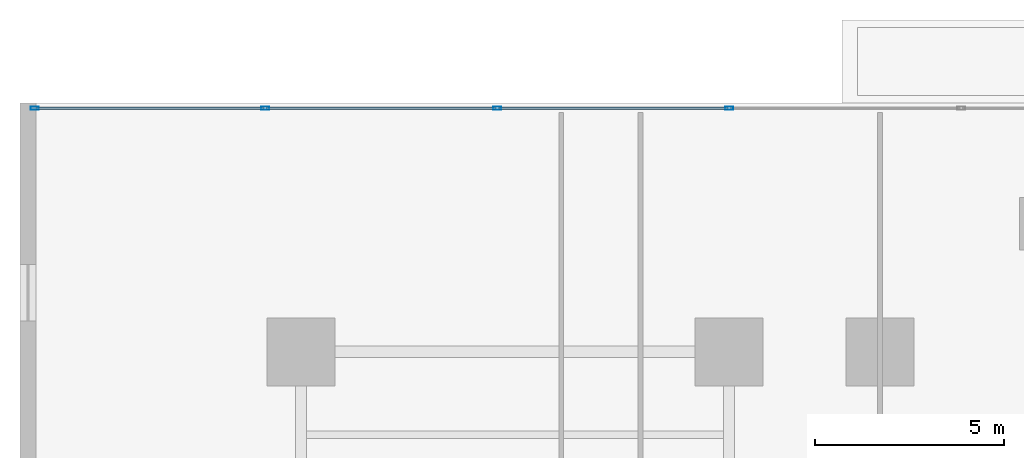
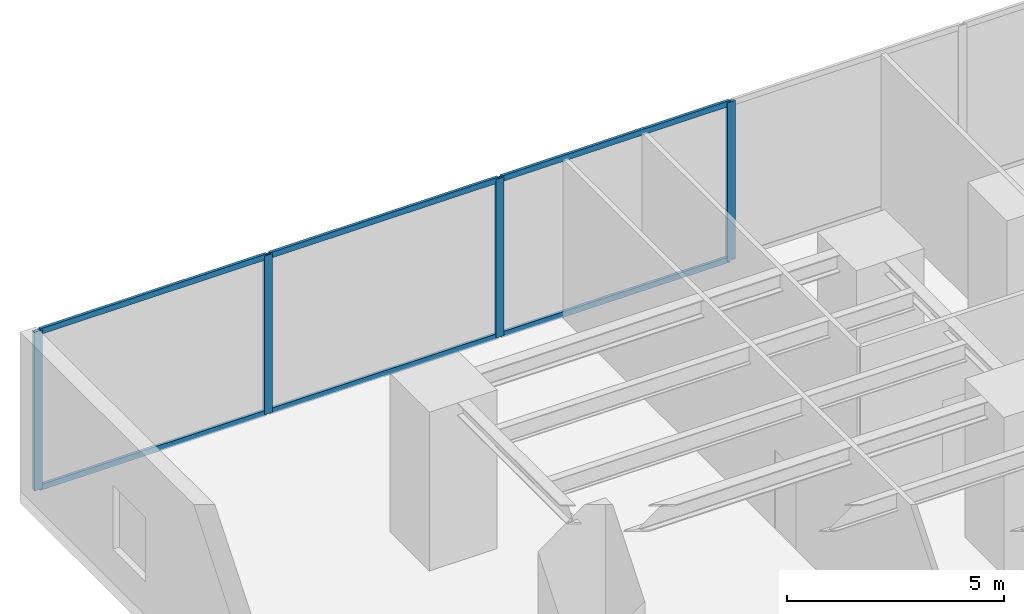
# One storey, part 3 of 17: 10 members, 1 element without a shape of its own.
"""IFC4 building model written with IfcOpenShell, lengths in metres."""

from ifc_helpers import new_model, si_unit, direction, frame, origin, origin_with_axes, origin_2d, place, context, subcontext, project, spatial, hollow_rectangle, extrude, source, transform, mapped, material, layer, layer_set, material_profile, profile_set, type_object, element, aggregate, save


model = new_model("IFC4")

# Units and contexts
model_context = context("Model", 3, precision=1e-05, world=origin(), true_north=direction((0.0, 1.0)))
body_context = subcontext(model_context, "Body", "Model", "MODEL_VIEW")
ifc_project = project(units=[si_unit("LENGTHUNIT", "METRE"), si_unit("AREAUNIT", "SQUARE_METRE"), si_unit("VOLUMEUNIT", "CUBIC_METRE"), si_unit("PLANEANGLEUNIT", "RADIAN"), si_unit("MASSUNIT", "GRAM", prefix="KILO")], contexts=[model_context])

# Site, building, storey
site_placement = place(None, origin())
site = spatial("IfcSite", under=ifc_project, at=site_placement, CompositionType="ELEMENT")
building_placement = place(site_placement, origin())
building = spatial("IfcBuilding", under=site, at=building_placement, Name="Kolvaren Waterfront Exchange", CompositionType="ELEMENT")
storey_placement = place(building_placement, frame((0.0, 0.0, 5.60009765625)))
storey = spatial("IfcBuildingStorey", under=building, at=storey_placement, Name="L02", CompositionType="ELEMENT", Elevation=5.60009765625)

# Curtain wall, members
ifc_material_1 = material(Name="Anodised bronze aluminium 6063-T6", Category="aluminium")
ifc_layer = layer(ifc_material_1, 0.219970703125, Name="Anodised bronze aluminium 6063-T6")
ifc_layer_set = layer_set([ifc_layer], Name="Anodised bronze aluminium 6063-T6")
curtain_wall_type = type_object("IfcCurtainWallType", Name="ARC-CW-SYS1", PredefinedType="USERDEFINED", material=ifc_layer_set)
curtain_wall_placement = place(storey_placement, origin())
curtain_wall = element("IfcCurtainWall", 1, at=curtain_wall_placement, inside=storey, type_object=curtain_wall_type, Name="L02 stick curtain wall CW1 (CW-L02-N2)", ObjectType="STICK CURTAIN WALL", PredefinedType="USERDEFINED")
ifc_material_2 = material(Name="Anodised aluminium 6063-T6", Category="aluminium")
ifc_material_profile_1 = material_profile(ifc_material_2, hollow_rectangle(XDim=0.080078125, YDim=0.219970703125, WallThickness=0.0048828125, at=origin_2d()), Name="ALU-MUL-220x80x5")
ifc_profile_set_1 = profile_set([ifc_material_profile_1], Name="Anodised aluminium 6063-T6")
member_type_1 = type_object("IfcMemberType", Name="ARC-CWM-220", PredefinedType="MULLION", material=ifc_profile_set_1)
shared_shape_1 = source(origin_with_axes(), body_context, "Body", "SweptSolid", [
    extrude(hollow_rectangle(XDim=0.080078125, YDim=0.219970703125, WallThickness=0.0048828125, at=origin_2d()), origin(), (0.0, 0.0, 1.0), 4.4599609375),
])
member_1_placement = place(storey_placement, frame((18.804931640625, 51.06005859375, 0.0), z_axis=(0.0, 0.0, 1.0), x_axis=(0.0, -1.0, 0.0)))
member_1 = element("IfcMember", 2, at=member_1_placement, type_object=member_type_1, Name="CW1 mullion 4", PredefinedType="MULLION", context=body_context, shape_type="MappedRepresentation", body=[
    mapped(shared_shape_1, transform((0.0, 0.0, 0.0), x_axis=(1.0, 0.0, 0.0), y_axis=(0.0, 1.0, 0.0), z_axis=(0.0, 0.0, 1.0), scale=1.0)),
])
member_2_placement = place(storey_placement, frame((12.6533203125, 51.06005859375, 0.0), z_axis=(0.0, 0.0, 1.0), x_axis=(0.0, -1.0, 0.0)))
member_2 = element("IfcMember", 3, at=member_2_placement, type_object=member_type_1, Name="CW1 mullion 5", PredefinedType="MULLION", context=body_context, shape_type="MappedRepresentation", body=[
    mapped(shared_shape_1, transform((0.0, 0.0, 0.0), x_axis=(1.0, 0.0, 0.0), y_axis=(0.0, 1.0, 0.0), z_axis=(0.0, 0.0, 1.0), scale=1.0)),
])
member_3_placement = place(storey_placement, frame((6.501708984375, 51.06005859375, 0.0), z_axis=(0.0, 0.0, 1.0), x_axis=(0.0, -1.0, 0.0)))
member_3 = element("IfcMember", 4, at=member_3_placement, type_object=member_type_1, Name="CW1 mullion 6", PredefinedType="MULLION", context=body_context, shape_type="MappedRepresentation", body=[
    mapped(shared_shape_1, transform((0.0, 0.0, 0.0), x_axis=(1.0, 0.0, 0.0), y_axis=(0.0, 1.0, 0.0), z_axis=(0.0, 0.0, 1.0), scale=1.0)),
])
member_4_placement = place(storey_placement, frame((0.389892578125, 51.06005859375, 0.0), z_axis=(0.0, 0.0, 1.0), x_axis=(0.0, -1.0, 0.0)))
member_4 = element("IfcMember", 5, at=member_4_placement, type_object=member_type_1, Name="CW1 mullion 7", PredefinedType="MULLION", context=body_context, shape_type="MappedRepresentation", body=[
    mapped(shared_shape_1, transform((0.0, 0.0, 0.0), x_axis=(1.0, 0.0, 0.0), y_axis=(0.0, 1.0, 0.0), z_axis=(0.0, 0.0, 1.0), scale=1.0)),
])
ifc_material_profile_2 = material_profile(ifc_material_2, hollow_rectangle(XDim=0.074951171875, YDim=0.159912109375, WallThickness=0.00439453125, at=origin_2d()), Name="ALU-TRN-160x75x4.5")
ifc_profile_set_2 = profile_set([ifc_material_profile_2], Name="Anodised aluminium 6063-T6")
member_type_2 = type_object("IfcMemberType", Name="ARC-CWT-160", PredefinedType="USERDEFINED", material=ifc_profile_set_2)
shared_shape_2 = source(origin_with_axes(), body_context, "Body", "SweptSolid", [
    extrude(hollow_rectangle(XDim=0.074951171875, YDim=0.159912109375, WallThickness=0.00439453125, at=origin_2d()), origin(), (0.0, 0.0, 1.0), 6.071533203125),
])
member_5_placement = place(storey_placement, frame((18.764892578125, 51.06005859375, 0.037353515625), z_axis=(-1.0, 0.0, 0.0), x_axis=(0.0, -1.0, 0.0)))
member_5 = element("IfcMember", 6, at=member_5_placement, type_object=member_type_2, Name="CW1 transom 4.1", ObjectType="TRANSOM", PredefinedType="USERDEFINED", context=body_context, shape_type="MappedRepresentation", body=[
    mapped(shared_shape_2, transform((0.0, 0.0, 0.0), x_axis=(1.0, 0.0, 0.0), y_axis=(0.0, 1.0, 0.0), z_axis=(0.0, 0.0, 1.0), scale=1.0)),
])
member_6_placement = place(storey_placement, frame((18.764892578125, 51.06005859375, 4.42236328125), z_axis=(-1.0, 0.0, 0.0), x_axis=(0.0, -1.0, 0.0)))
member_6 = element("IfcMember", 7, at=member_6_placement, type_object=member_type_2, Name="CW1 transom 4.2", ObjectType="TRANSOM", PredefinedType="USERDEFINED", context=body_context, shape_type="MappedRepresentation", body=[
    mapped(shared_shape_2, transform((0.0, 0.0, 0.0), x_axis=(1.0, 0.0, 0.0), y_axis=(0.0, 1.0, 0.0), z_axis=(0.0, 0.0, 1.0), scale=1.0)),
])
member_7_placement = place(storey_placement, frame((12.61328125, 51.06005859375, 0.037353515625), z_axis=(-1.0, 0.0, 0.0), x_axis=(0.0, -1.0, 0.0)))
member_7 = element("IfcMember", 8, at=member_7_placement, type_object=member_type_2, Name="CW1 transom 5.1", ObjectType="TRANSOM", PredefinedType="USERDEFINED", context=body_context, shape_type="MappedRepresentation", body=[
    mapped(shared_shape_2, transform((0.0, 0.0, 0.0), x_axis=(1.0, 0.0, 0.0), y_axis=(0.0, 1.0, 0.0), z_axis=(0.0, 0.0, 1.0), scale=1.0)),
])
member_8_placement = place(storey_placement, frame((12.61328125, 51.06005859375, 4.42236328125), z_axis=(-1.0, 0.0, 0.0), x_axis=(0.0, -1.0, 0.0)))
member_8 = element("IfcMember", 9, at=member_8_placement, type_object=member_type_2, Name="CW1 transom 5.2", ObjectType="TRANSOM", PredefinedType="USERDEFINED", context=body_context, shape_type="MappedRepresentation", body=[
    mapped(shared_shape_2, transform((0.0, 0.0, 0.0), x_axis=(1.0, 0.0, 0.0), y_axis=(0.0, 1.0, 0.0), z_axis=(0.0, 0.0, 1.0), scale=1.0)),
])
shared_shape_3 = source(origin_with_axes(), body_context, "Body", "SweptSolid", [
    extrude(hollow_rectangle(XDim=0.074951171875, YDim=0.159912109375, WallThickness=0.00439453125, at=origin_2d()), origin(), (0.0, 0.0, 1.0), 6.03173828125),
])
member_9_placement = place(storey_placement, frame((6.461669921875, 51.06005859375, 0.037353515625), z_axis=(-1.0, 0.0, 0.0), x_axis=(0.0, -1.0, 0.0)))
member_9 = element("IfcMember", 10, at=member_9_placement, type_object=member_type_2, Name="CW1 transom 6.1", ObjectType="TRANSOM", PredefinedType="USERDEFINED", context=body_context, shape_type="MappedRepresentation", body=[
    mapped(shared_shape_3, transform((0.0, 0.0, 0.0), x_axis=(1.0, 0.0, 0.0), y_axis=(0.0, 1.0, 0.0), z_axis=(0.0, 0.0, 1.0), scale=1.0)),
])
member_10_placement = place(storey_placement, frame((6.461669921875, 51.06005859375, 4.42236328125), z_axis=(-1.0, 0.0, 0.0), x_axis=(0.0, -1.0, 0.0)))
member_10 = element("IfcMember", 11, at=member_10_placement, type_object=member_type_2, Name="CW1 transom 6.2", ObjectType="TRANSOM", PredefinedType="USERDEFINED", context=body_context, shape_type="MappedRepresentation", body=[
    mapped(shared_shape_3, transform((0.0, 0.0, 0.0), x_axis=(1.0, 0.0, 0.0), y_axis=(0.0, 1.0, 0.0), z_axis=(0.0, 0.0, 1.0), scale=1.0)),
])
aggregate(curtain_wall, [member_1, member_2, member_3, member_4, member_5, member_6, member_7, member_8, member_9, member_10])

save(model, "model.ifc")
